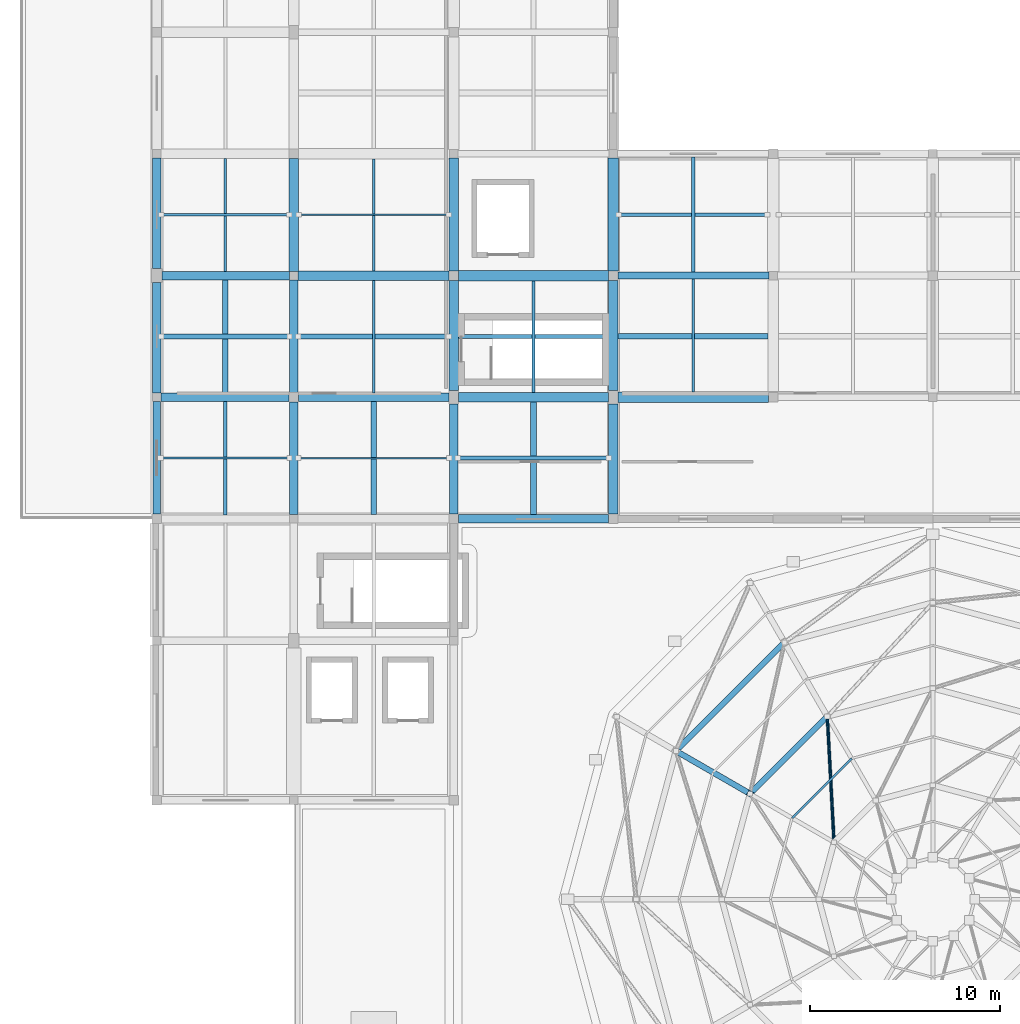
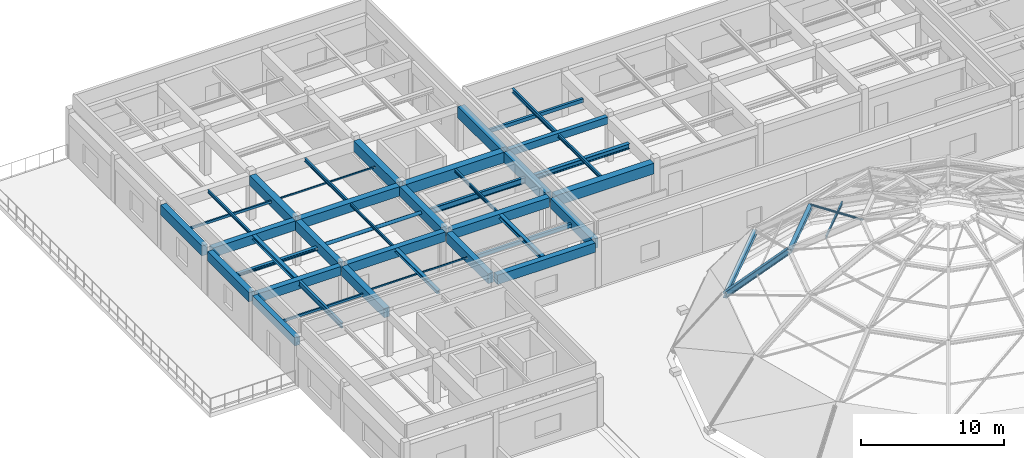
# One storey, part 4 of 18: 35 beams, 11 members.
"""IFC4 building model written with IfcOpenShell, lengths in metres."""

from ifc_helpers import new_model, si_unit, direction, frame, origin, origin_2d, place, context, subcontext, project, spatial, rectangle, hollow_rectangle, hollow_circle, i_section, extrude, material, material_profile, profile_set, type_object, element, save


model = new_model("IFC4")

# Units and contexts
model_context = context("Model", 3, precision=1e-05, world=origin(), true_north=direction((0.0, 1.0)))
body_context = subcontext(model_context, "Body", "Model", "MODEL_VIEW")
ifc_project = project(units=[si_unit("LENGTHUNIT", "METRE"), si_unit("AREAUNIT", "SQUARE_METRE"), si_unit("VOLUMEUNIT", "CUBIC_METRE"), si_unit("PLANEANGLEUNIT", "RADIAN"), si_unit("MASSUNIT", "GRAM", prefix="KILO")], contexts=[model_context])

# Site, building, storey
site_placement = place(None, origin())
site = spatial("IfcSite", under=ifc_project, at=site_placement, CompositionType="ELEMENT")
building_placement = place(site_placement, origin())
building = spatial("IfcBuilding", under=site, at=building_placement, Name="Korsvaeld Concert Hall", CompositionType="ELEMENT")
storey_placement = place(building_placement, frame((0.0, 0.0, 17.39990234375)))
storey = spatial("IfcBuildingStorey", under=building, at=storey_placement, Name="L04", CompositionType="ELEMENT", Elevation=17.39990234375)

# Beams
ifc_material_1 = material(Name="Concrete C35/45", Category="concrete")
ifc_material_profile_1 = material_profile(ifc_material_1, rectangle(XDim=0.35009765625, YDim=0.60009765625, at=origin_2d()), Name="RC 350x600")
ifc_profile_set_1 = profile_set([ifc_material_profile_1], Name="Concrete C35/45")
beam_type_1 = type_object("IfcBeamType", Name="BM-RC-350x600", PredefinedType="T_BEAM", material=ifc_profile_set_1)
beam_1_placement = place(storey_placement, frame((67.449951171875, 96.0, 3.5400390625), z_axis=(1.0, 0.0, 0.0), x_axis=(0.0, 1.0, 0.0)))
element("IfcBeam", 1, at=beam_1_placement, inside=storey, type_object=beam_type_1, Name="Primary girder 10-11/P L04", PredefinedType="T_BEAM", context=body_context, shape_type="SweptSolid", body=[
    extrude(rectangle(XDim=0.35009765625, YDim=0.60009765625, at=origin_2d()), origin(), (0.0, 0.0, 1.0), 7.925048828125),
])
ifc_material_profile_2 = material_profile(ifc_material_1, rectangle(XDim=0.39990234375, YDim=0.699951171875, at=origin_2d()), Name="RC 400x700")
ifc_profile_set_2 = profile_set([ifc_material_profile_2], Name="Concrete C35/45")
beam_type_2 = type_object("IfcBeamType", Name="BM-RC-400x700", PredefinedType="T_BEAM", material=ifc_profile_set_2)
beam_2_placement = place(storey_placement, frame((43.199951171875, 83.449951171875, 3.489990234375), z_axis=(0.0, 1.0, 0.0), x_axis=(-1.0, 0.0, 0.0)))
element("IfcBeam", 2, at=beam_2_placement, inside=storey, type_object=beam_type_2, Name="Primary girder 7/M-N L04", PredefinedType="T_BEAM", context=body_context, shape_type="SweptSolid", body=[
    extrude(rectangle(XDim=0.39990234375, YDim=0.699951171875, at=origin_2d()), origin(), (0.0, 0.0, 1.0), 5.925048828125),
])
ifc_material_profile_3 = material_profile(ifc_material_1, rectangle(XDim=0.449951171875, YDim=0.75, at=origin_2d()), Name="RC 450x750")
ifc_profile_set_3 = profile_set([ifc_material_profile_3], Name="Concrete C35/45")
beam_type_3 = type_object("IfcBeamType", Name="BM-RC-450x750", PredefinedType="T_BEAM", material=ifc_profile_set_3)
beam_3_placement = place(storey_placement, frame((43.425048828125, 89.60009765625, 3.465087890625), z_axis=(1.0, 0.0, 0.0), x_axis=(0.0, 1.0, 0.0)))
element("IfcBeam", 3, at=beam_3_placement, inside=storey, type_object=beam_type_3, Name="Primary girder 7-8/N L04", PredefinedType="T_BEAM", context=body_context, shape_type="SweptSolid", body=[
    extrude(rectangle(XDim=0.449951171875, YDim=0.75, at=origin_2d()), origin(), (0.0, 0.0, 1.0), 6.724853515625),
])
ifc_material_profile_4 = material_profile(ifc_material_1, rectangle(XDim=0.449951171875, YDim=0.800048828125, at=origin_2d()), Name="RC 450x800")
ifc_profile_set_4 = profile_set([ifc_material_profile_4], Name="Concrete C35/45")
beam_type_4 = type_object("IfcBeamType", Name="BM-RC-450x800", PredefinedType="T_BEAM", material=ifc_profile_set_4)
beam_4_placement = place(storey_placement, frame((59.050048828125, 83.199951171875, 3.440185546875), z_axis=(1.0, 0.0, 0.0), x_axis=(0.0, 1.0, 0.0)))
element("IfcBeam", 4, at=beam_4_placement, inside=storey, type_object=beam_type_4, Name="Primary girder 9-10/M L04", PredefinedType="T_BEAM", context=body_context, shape_type="SweptSolid", body=[
    extrude(rectangle(XDim=0.449951171875, YDim=0.800048828125, at=origin_2d()), origin(), (0.0, 0.0, 1.0), 7.89990234375),
])
beam_5_placement = place(storey_placement, frame((50.64990234375, 89.60009765625, 3.440185546875), z_axis=(1.0, 0.0, 0.0), x_axis=(0.0, 1.0, 0.0)))
element("IfcBeam", 5, at=beam_5_placement, inside=storey, type_object=beam_type_4, Name="Primary girder 8-9/N L04", PredefinedType="T_BEAM", context=body_context, shape_type="SweptSolid", body=[
    extrude(rectangle(XDim=0.449951171875, YDim=0.800048828125, at=origin_2d()), origin(), (0.0, 0.0, 1.0), 7.900146484375),
])
beam_6_placement = place(storey_placement, frame((43.47509765625, 96.0, 3.440185546875), z_axis=(1.0, 0.0, 0.0), x_axis=(0.0, 1.0, 0.0)))
element("IfcBeam", 6, at=beam_6_placement, inside=storey, type_object=beam_type_4, Name="Primary girder 7-8/P L04", PredefinedType="T_BEAM", context=body_context, shape_type="SweptSolid", body=[
    extrude(rectangle(XDim=0.449951171875, YDim=0.800048828125, at=origin_2d()), origin(), (0.0, 0.0, 1.0), 6.699951171875),
])
beam_7_placement = place(storey_placement, frame((43.199951171875, 89.824951171875, 3.440185546875), z_axis=(0.0, 1.0, 0.0), x_axis=(-1.0, 0.0, 0.0)))
element("IfcBeam", 7, at=beam_7_placement, inside=storey, type_object=beam_type_4, Name="Primary girder 7/N-P L04", PredefinedType="T_BEAM", context=body_context, shape_type="SweptSolid", body=[
    extrude(rectangle(XDim=0.449951171875, YDim=0.800048828125, at=origin_2d()), origin(), (0.0, 0.0, 1.0), 5.800048828125),
])
beam_8_placement = place(storey_placement, frame((50.39990234375, 83.425048828125, 3.440185546875), z_axis=(0.0, 1.0, 0.0), x_axis=(-1.0, 0.0, 0.0)))
element("IfcBeam", 8, at=beam_8_placement, inside=storey, type_object=beam_type_4, Name="Primary girder 8/M-N L04", PredefinedType="T_BEAM", context=body_context, shape_type="SweptSolid", body=[
    extrude(rectangle(XDim=0.449951171875, YDim=0.800048828125, at=origin_2d()), origin(), (0.0, 0.0, 1.0), 5.925048828125),
])
ifc_material_2 = material(Name="Concrete C40/50", Category="concrete")
ifc_material_profile_5 = material_profile(ifc_material_2, rectangle(XDim=0.449951171875, YDim=0.85009765625, at=origin_2d()), Name="RC 450x850")
ifc_profile_set_5 = profile_set([ifc_material_profile_5], Name="Concrete C40/50")
beam_type_5 = type_object("IfcBeamType", Name="BM-RC-450x850", PredefinedType="T_BEAM", material=ifc_profile_set_5)
beam_9_placement = place(storey_placement, frame((43.199951171875, 96.375, 3.4150390625), z_axis=(0.0, 1.0, 0.0), x_axis=(-1.0, 0.0, 0.0)))
element("IfcBeam", 9, at=beam_9_placement, inside=storey, type_object=beam_type_5, Name="Primary girder 7/P-Q L04", PredefinedType="T_BEAM", context=body_context, shape_type="SweptSolid", body=[
    extrude(rectangle(XDim=0.449951171875, YDim=0.85009765625, at=origin_2d()), origin(), (0.0, 0.0, 1.0), 5.800048828125),
])
beam_10_placement = place(storey_placement, frame((50.39990234375, 89.85009765625, 3.4150390625), z_axis=(0.0, 1.0, 0.0), x_axis=(-1.0, 0.0, 0.0)))
element("IfcBeam", 10, at=beam_10_placement, inside=storey, type_object=beam_type_5, Name="Primary girder 8/N-P L04", PredefinedType="T_BEAM", context=body_context, shape_type="SweptSolid", body=[
    extrude(rectangle(XDim=0.449951171875, YDim=0.85009765625, at=origin_2d()), origin(), (0.0, 0.0, 1.0), 5.9248046875),
])
beam_11_placement = place(storey_placement, frame((58.800048828125, 83.449951171875, 3.4150390625), z_axis=(0.0, 1.0, 0.0), x_axis=(-1.0, 0.0, 0.0)))
element("IfcBeam", 11, at=beam_11_placement, inside=storey, type_object=beam_type_5, Name="Primary girder 9/M-N L04", PredefinedType="T_BEAM", context=body_context, shape_type="SweptSolid", body=[
    extrude(rectangle(XDim=0.449951171875, YDim=0.85009765625, at=origin_2d()), origin(), (0.0, 0.0, 1.0), 5.800048828125),
])
ifc_material_profile_6 = material_profile(ifc_material_2, rectangle(XDim=0.5, YDim=0.800048828125, at=origin_2d()), Name="RC 500x800")
ifc_profile_set_6 = profile_set([ifc_material_profile_6], Name="Concrete C40/50")
beam_type_6 = type_object("IfcBeamType", Name="BM-RC-500x800", PredefinedType="T_BEAM", material=ifc_profile_set_6)
beam_12_placement = place(storey_placement, frame((59.050048828125, 89.60009765625, 3.440185546875), z_axis=(1.0, 0.0, 0.0), x_axis=(0.0, 1.0, 0.0)))
element("IfcBeam", 12, at=beam_12_placement, inside=storey, type_object=beam_type_6, Name="Primary girder 9-10/N L04", PredefinedType="T_BEAM", context=body_context, shape_type="SweptSolid", body=[
    extrude(rectangle(XDim=0.5, YDim=0.800048828125, at=origin_2d()), origin(), (0.0, 0.0, 1.0), 7.89990234375),
])
beam_13_placement = place(storey_placement, frame((50.625, 96.0, 3.440185546875), z_axis=(1.0, 0.0, 0.0), x_axis=(0.0, 1.0, 0.0)))
element("IfcBeam", 13, at=beam_13_placement, inside=storey, type_object=beam_type_6, Name="Primary girder 8-9/P L04", PredefinedType="T_BEAM", context=body_context, shape_type="SweptSolid", body=[
    extrude(rectangle(XDim=0.5, YDim=0.800048828125, at=origin_2d()), origin(), (0.0, 0.0, 1.0), 7.925048828125),
])
ifc_material_profile_7 = material_profile(ifc_material_2, rectangle(XDim=0.5, YDim=0.85009765625, at=origin_2d()), Name="RC 500x850")
ifc_profile_set_7 = profile_set([ifc_material_profile_7], Name="Concrete C40/50")
beam_type_7 = type_object("IfcBeamType", Name="BM-RC-500x850", PredefinedType="T_BEAM", material=ifc_profile_set_7)
beam_14_placement = place(storey_placement, frame((50.39990234375, 96.22509765625, 3.4150390625), z_axis=(0.0, 1.0, 0.0), x_axis=(-1.0, 0.0, 0.0)))
element("IfcBeam", 14, at=beam_14_placement, inside=storey, type_object=beam_type_7, Name="Primary girder 8/P-Q L04", PredefinedType="T_BEAM", context=body_context, shape_type="SweptSolid", body=[
    extrude(rectangle(XDim=0.5, YDim=0.85009765625, at=origin_2d()), origin(), (0.0, 0.0, 1.0), 5.9248046875),
])
for number, where, z_axis, x_axis, name in (
    (15, (58.800048828125, 89.949951171875, 3.4150390625), (0.0, 1.0, 0.0), (-1.0, 0.0, 0.0), "Primary girder 9/N-P L04"),
    (16, (67.199951171875, 83.449951171875, 3.4150390625), (0.0, 1.0, 0.0), (-1.0, 0.0, 0.0), "Primary girder 10/M-N L04"),
):
    element("IfcBeam", number, at=place(storey_placement, frame(where, z_axis=z_axis, x_axis=x_axis)), inside=storey, type_object=beam_type_7, Name=name, PredefinedType="T_BEAM", context=body_context, shape_type="SweptSolid", body=[
        extrude(rectangle(XDim=0.5, YDim=0.85009765625, at=origin_2d()), origin(), (0.0, 0.0, 1.0), 5.800048828125),
    ])
ifc_material_profile_8 = material_profile(ifc_material_2, rectangle(XDim=0.5, YDim=0.89990234375, at=origin_2d()), Name="RC 500x900")
ifc_profile_set_8 = profile_set([ifc_material_profile_8], Name="Concrete C40/50")
beam_type_8 = type_object("IfcBeamType", Name="BM-RC-500x900", PredefinedType="T_BEAM", material=ifc_profile_set_8)
beam_15_placement = place(storey_placement, frame((58.800048828125, 96.25, 3.39013671875), z_axis=(0.0, 1.0, 0.0), x_axis=(-1.0, 0.0, 0.0)))
element("IfcBeam", 17, at=beam_15_placement, inside=storey, type_object=beam_type_8, Name="Primary girder 9/P-Q L04", PredefinedType="T_BEAM", context=body_context, shape_type="SweptSolid", body=[
    extrude(rectangle(XDim=0.5, YDim=0.89990234375, at=origin_2d()), origin(), (0.0, 0.0, 1.0), 5.925048828125),
])
beam_16_placement = place(storey_placement, frame((67.199951171875, 89.949951171875, 3.39013671875), z_axis=(0.0, 1.0, 0.0), x_axis=(-1.0, 0.0, 0.0)))
element("IfcBeam", 18, at=beam_16_placement, inside=storey, type_object=beam_type_8, Name="Primary girder 10/N-P L04", PredefinedType="T_BEAM", context=body_context, shape_type="SweptSolid", body=[
    extrude(rectangle(XDim=0.5, YDim=0.89990234375, at=origin_2d()), origin(), (0.0, 0.0, 1.0), 5.800048828125),
])
ifc_material_profile_9 = material_profile(ifc_material_2, rectangle(XDim=0.550048828125, YDim=0.89990234375, at=origin_2d()), Name="RC 550x900")
ifc_profile_set_9 = profile_set([ifc_material_profile_9], Name="Concrete C40/50")
beam_type_9 = type_object("IfcBeamType", Name="BM-RC-550x900", PredefinedType="T_BEAM", material=ifc_profile_set_9)
beam_17_placement = place(storey_placement, frame((67.449951171875, 89.60009765625, 3.39013671875), z_axis=(1.0, 0.0, 0.0), x_axis=(0.0, 1.0, 0.0)))
element("IfcBeam", 19, at=beam_17_placement, inside=storey, type_object=beam_type_9, Name="Primary girder 10-11/N L04", PredefinedType="T_BEAM", context=body_context, shape_type="SweptSolid", body=[
    extrude(rectangle(XDim=0.550048828125, YDim=0.89990234375, at=origin_2d()), origin(), (0.0, 0.0, 1.0), 7.900146484375),
])
beam_18_placement = place(storey_placement, frame((59.050048828125, 96.0, 3.39013671875), z_axis=(1.0, 0.0, 0.0), x_axis=(0.0, 1.0, 0.0)))
element("IfcBeam", 20, at=beam_18_placement, inside=storey, type_object=beam_type_9, Name="Primary girder 9-10/P L04", PredefinedType="T_BEAM", context=body_context, shape_type="SweptSolid", body=[
    extrude(rectangle(XDim=0.550048828125, YDim=0.89990234375, at=origin_2d()), origin(), (0.0, 0.0, 1.0), 7.89990234375),
])
ifc_material_profile_10 = material_profile(ifc_material_2, rectangle(XDim=0.550048828125, YDim=0.949951171875, at=origin_2d()), Name="RC 550x950")
ifc_profile_set_10 = profile_set([ifc_material_profile_10], Name="Concrete C40/50")
beam_type_10 = type_object("IfcBeamType", Name="BM-RC-550x950", PredefinedType="T_BEAM", material=ifc_profile_set_10)
beam_19_placement = place(storey_placement, frame((67.199951171875, 96.25, 3.364990234375), z_axis=(0.0, 1.0, 0.0), x_axis=(-1.0, 0.0, 0.0)))
element("IfcBeam", 21, at=beam_19_placement, inside=storey, type_object=beam_type_10, Name="Primary girder 10/P-Q L04", PredefinedType="T_BEAM", context=body_context, shape_type="SweptSolid", body=[
    extrude(rectangle(XDim=0.550048828125, YDim=0.949951171875, at=origin_2d()), origin(), (0.0, 0.0, 1.0), 5.925048828125),
])
ifc_material_3 = material(Name="Steel S355J2", Category="steel")
ifc_material_profile_11 = material_profile(ifc_material_3, i_section(OverallWidth=0.300048828125, OverallDepth=0.340087890625, WebThickness=0.011962890625, FlangeThickness=0.021484375, FilletRadius=0.027099609375, at=origin_2d()), Name="HEB 340")
ifc_profile_set_11 = profile_set([ifc_material_profile_11], Name="Steel S355J2")
beam_type_11 = type_object("IfcBeamType", Name="BM-RING-HEB340", PredefinedType="USERDEFINED", material=ifc_profile_set_11)
beam_20_placement = place(storey_placement, frame((78.449951171875, 72.81298828125, 9.16015625), z_axis=(-0.707085535584, -0.707128026151, 0.0), x_axis=(0.707128026151, -0.707085535584, 0.0)))
element("IfcBeam", 22, at=beam_20_placement, inside=storey, type_object=beam_type_11, Name="Dome latitude ring beam T2.B05", ObjectType="RING BEAM", PredefinedType="USERDEFINED", context=body_context, shape_type="SweptSolid", body=[
    extrude(i_section(OverallWidth=0.300048828125, OverallDepth=0.340087890625, WebThickness=0.011962890625, FlangeThickness=0.021484375, FilletRadius=0.027099609375, at=origin_2d()), origin(), (0.0, 0.0, 1.0), 5.745849609375),
])
ifc_material_profile_12 = material_profile(ifc_material_3, i_section(OverallWidth=0.300048828125, OverallDepth=0.39990234375, WebThickness=0.013427734375, FlangeThickness=0.02392578125, FilletRadius=0.027099609375, at=origin_2d()), Name="HEB 400")
ifc_profile_set_12 = profile_set([ifc_material_profile_12], Name="Steel S355J2")
beam_type_12 = type_object("IfcBeamType", Name="BM-RING-HEB400", PredefinedType="USERDEFINED", material=ifc_profile_set_12)
beam_21_placement = place(storey_placement, frame((76.199951171875, 76.7099609375, 5.360107421875), z_axis=(-0.707106781187, -0.707106781187, 0.0), x_axis=(0.707106781187, -0.707106781187, 0.0)))
element("IfcBeam", 23, at=beam_21_placement, inside=storey, type_object=beam_type_12, Name="Dome latitude ring beam T1.B05", ObjectType="RING BEAM", PredefinedType="USERDEFINED", context=body_context, shape_type="SweptSolid", body=[
    extrude(i_section(OverallWidth=0.300048828125, OverallDepth=0.39990234375, WebThickness=0.013427734375, FlangeThickness=0.02392578125, FilletRadius=0.027099609375, at=origin_2d()), origin(), (0.0, 0.0, 1.0), 8.0751953125),
])
ifc_material_profile_13 = material_profile(ifc_material_3, i_section(OverallWidth=0.280029296875, OverallDepth=0.27001953125, WebThickness=0.008056640625, FlangeThickness=0.012939453125, FilletRadius=0.02392578125, at=origin_2d()), Name="HEA 280")
ifc_profile_set_13 = profile_set([ifc_material_profile_13], Name="Steel S355J2")
beam_type_13 = type_object("IfcBeamType", Name="BM-STL-HEA280", PredefinedType="BEAM", material=ifc_profile_set_13)
beam_22_placement = place(storey_placement, frame((54.60009765625, 83.425048828125, 3.705078125), z_axis=(0.0, 1.0, 0.0), x_axis=(-1.0, 0.0, 0.0)))
element("IfcBeam", 24, at=beam_22_placement, inside=storey, type_object=beam_type_13, Name="Secondary steel floor beam 8-9/M L04", PredefinedType="BEAM", context=body_context, shape_type="SweptSolid", body=[
    extrude(i_section(OverallWidth=0.280029296875, OverallDepth=0.27001953125, WebThickness=0.008056640625, FlangeThickness=0.012939453125, FilletRadius=0.02392578125, at=origin_2d()), origin(), (0.0, 0.0, 1.0), 5.949951171875),
])
ifc_material_profile_14 = material_profile(ifc_material_3, i_section(OverallWidth=0.300048828125, OverallDepth=0.35009765625, WebThickness=0.010009765625, FlangeThickness=0.017578125, FilletRadius=0.027099609375, at=origin_2d()), Name="HEA 360")
ifc_profile_set_14 = profile_set([ifc_material_profile_14], Name="Steel S355J2")
beam_type_14 = type_object("IfcBeamType", Name="BM-STL-HEA360", PredefinedType="BEAM", material=ifc_profile_set_14)
beam_23_placement = place(storey_placement, frame((46.800048828125, 89.824951171875, 3.6650390625), z_axis=(0.0, 1.0, 0.0), x_axis=(-1.0, 0.0, 0.0)))
element("IfcBeam", 25, at=beam_23_placement, inside=storey, type_object=beam_type_14, Name="Secondary steel floor beam 7-8/N L04", PredefinedType="BEAM", context=body_context, shape_type="SweptSolid", body=[
    extrude(i_section(OverallWidth=0.300048828125, OverallDepth=0.35009765625, WebThickness=0.010009765625, FlangeThickness=0.017578125, FilletRadius=0.027099609375, at=origin_2d()), origin(), (0.0, 0.0, 1.0), 5.949951171875),
])
beam_24_placement = place(storey_placement, frame((63.0, 83.425048828125, 3.6650390625), z_axis=(0.0, 1.0, 0.0), x_axis=(-1.0, 0.0, 0.0)))
element("IfcBeam", 26, at=beam_24_placement, inside=storey, type_object=beam_type_14, Name="Secondary steel floor beam 9-10/M L04", PredefinedType="BEAM", context=body_context, shape_type="SweptSolid", body=[
    extrude(i_section(OverallWidth=0.300048828125, OverallDepth=0.35009765625, WebThickness=0.010009765625, FlangeThickness=0.017578125, FilletRadius=0.027099609375, at=origin_2d()), origin(), (0.0, 0.0, 1.0), 5.925048828125),
])
ifc_material_profile_15 = material_profile(ifc_material_3, i_section(OverallWidth=0.300048828125, OverallDepth=0.43994140625, WebThickness=0.011474609375, FlangeThickness=0.02099609375, FilletRadius=0.027099609375, at=origin_2d()), Name="HEA 450")
ifc_profile_set_15 = profile_set([ifc_material_profile_15], Name="Steel S355J2")
beam_type_15 = type_object("IfcBeamType", Name="BM-STL-HEA450", PredefinedType="USERDEFINED", material=ifc_profile_set_15)
beam_25_placement = place(storey_placement, frame((67.449951171875, 92.800048828125, 3.280029296875), z_axis=(1.0, 0.0, 0.0), x_axis=(0.0, 1.0, 0.0)))
element("IfcBeam", 27, at=beam_25_placement, inside=storey, type_object=beam_type_15, Name="Artists wing roof purlin tie 10", ObjectType="GIRDER", PredefinedType="USERDEFINED", context=body_context, shape_type="SweptSolid", body=[
    extrude(i_section(OverallWidth=0.300048828125, OverallDepth=0.43994140625, WebThickness=0.011474609375, FlangeThickness=0.02099609375, FilletRadius=0.027099609375, at=origin_2d()), origin(), (0.0, 0.0, 1.0), 7.875),
])
ifc_material_profile_16 = material_profile(ifc_material_3, i_section(OverallWidth=0.1201171875, OverallDepth=0.239990234375, WebThickness=0.006103515625, FlangeThickness=0.009765625, FilletRadius=0.014892578125, at=origin_2d()), Name="IPE 240")
ifc_profile_set_16 = profile_set([ifc_material_profile_16], Name="Steel S355J2")
beam_type_16 = type_object("IfcBeamType", Name="BM-STL-IPE240", PredefinedType="JOIST", material=ifc_profile_set_16)
beam_26_placement = place(storey_placement, frame((54.60009765625, 89.824951171875, 3.72021484375), z_axis=(0.0, 1.0, 0.0), x_axis=(-1.0, 0.0, 0.0)))
element("IfcBeam", 28, at=beam_26_placement, inside=storey, type_object=beam_type_16, Name="Secondary steel floor beam 8-9/N L04", PredefinedType="JOIST", context=body_context, shape_type="SweptSolid", body=[
    extrude(i_section(OverallWidth=0.1201171875, OverallDepth=0.239990234375, WebThickness=0.006103515625, FlangeThickness=0.009765625, FilletRadius=0.014892578125, at=origin_2d()), origin(), (0.0, 0.0, 1.0), 5.925048828125),
])
ifc_material_profile_17 = material_profile(ifc_material_3, i_section(OverallWidth=0.135009765625, OverallDepth=0.27001953125, WebThickness=0.006591796875, FlangeThickness=0.01025390625, FilletRadius=0.014892578125, at=origin_2d()), Name="IPE 270")
ifc_profile_set_17 = profile_set([ifc_material_profile_17], Name="Steel S355J2")
beam_type_17 = type_object("IfcBeamType", Name="BM-STL-IPE270", PredefinedType="JOIST", material=ifc_profile_set_17)
beam_27_placement = place(storey_placement, frame((46.800048828125, 96.22509765625, 3.705078125), z_axis=(0.0, 1.0, 0.0), x_axis=(-1.0, 0.0, 0.0)))
element("IfcBeam", 29, at=beam_27_placement, inside=storey, type_object=beam_type_17, Name="Secondary steel floor beam 7-8/P L04", PredefinedType="JOIST", context=body_context, shape_type="SweptSolid", body=[
    extrude(i_section(OverallWidth=0.135009765625, OverallDepth=0.27001953125, WebThickness=0.006591796875, FlangeThickness=0.01025390625, FilletRadius=0.014892578125, at=origin_2d()), origin(), (0.0, 0.0, 1.0), 5.9248046875),
])
beam_28_placement = place(storey_placement, frame((63.0, 89.85009765625, 3.705078125), z_axis=(0.0, 1.0, 0.0), x_axis=(-1.0, 0.0, 0.0)))
element("IfcBeam", 30, at=beam_28_placement, inside=storey, type_object=beam_type_17, Name="Secondary steel floor beam 9-10/N L04", PredefinedType="JOIST", context=body_context, shape_type="SweptSolid", body=[
    extrude(i_section(OverallWidth=0.135009765625, OverallDepth=0.27001953125, WebThickness=0.006591796875, FlangeThickness=0.01025390625, FilletRadius=0.014892578125, at=origin_2d()), origin(), (0.0, 0.0, 1.0), 5.875),
])
ifc_material_profile_18 = material_profile(ifc_material_3, i_section(OverallWidth=0.14990234375, OverallDepth=0.300048828125, WebThickness=0.007080078125, FlangeThickness=0.0107421875, FilletRadius=0.014892578125, at=origin_2d()), Name="IPE 300")
ifc_profile_set_18 = profile_set([ifc_material_profile_18], Name="Steel S355J2")
beam_type_18 = type_object("IfcBeamType", Name="BM-STL-IPE300", PredefinedType="JOIST", material=ifc_profile_set_18)
beam_29_placement = place(storey_placement, frame((54.60009765625, 96.25, 3.690185546875), z_axis=(0.0, 1.0, 0.0), x_axis=(-1.0, 0.0, 0.0)))
element("IfcBeam", 31, at=beam_29_placement, inside=storey, type_object=beam_type_18, Name="Secondary steel floor beam 8-9/P L04", PredefinedType="JOIST", context=body_context, shape_type="SweptSolid", body=[
    extrude(i_section(OverallWidth=0.14990234375, OverallDepth=0.300048828125, WebThickness=0.007080078125, FlangeThickness=0.0107421875, FilletRadius=0.014892578125, at=origin_2d()), origin(), (0.0, 0.0, 1.0), 5.875),
])
beam_30_placement = place(storey_placement, frame((71.39990234375, 89.875, 3.690185546875), z_axis=(0.0, 1.0, 0.0), x_axis=(-1.0, 0.0, 0.0)))
element("IfcBeam", 32, at=beam_30_placement, inside=storey, type_object=beam_type_18, Name="Secondary steel floor beam 10-11/N L04", PredefinedType="JOIST", context=body_context, shape_type="SweptSolid", body=[
    extrude(i_section(OverallWidth=0.14990234375, OverallDepth=0.300048828125, WebThickness=0.007080078125, FlangeThickness=0.0107421875, FilletRadius=0.014892578125, at=origin_2d()), origin(), (0.0, 0.0, 1.0), 5.949951171875),
])
ifc_material_profile_19 = material_profile(ifc_material_3, i_section(OverallWidth=0.169921875, OverallDepth=0.360107421875, WebThickness=0.008056640625, FlangeThickness=0.0126953125, FilletRadius=0.01806640625, at=origin_2d()), Name="IPE 360")
ifc_profile_set_19 = profile_set([ifc_material_profile_19], Name="Steel S355J2")
beam_type_19 = type_object("IfcBeamType", Name="BM-STL-IPE360", PredefinedType="BEAM", material=ifc_profile_set_19)
beam_31_placement = place(storey_placement, frame((71.39990234375, 96.175048828125, 3.66015625), z_axis=(0.0, 1.0, 0.0), x_axis=(-1.0, 0.0, 0.0)))
element("IfcBeam", 33, at=beam_31_placement, inside=storey, type_object=beam_type_19, Name="Secondary steel floor beam 10-11/P L04", PredefinedType="BEAM", context=body_context, shape_type="SweptSolid", body=[
    extrude(i_section(OverallWidth=0.169921875, OverallDepth=0.360107421875, WebThickness=0.008056640625, FlangeThickness=0.0126953125, FilletRadius=0.01806640625, at=origin_2d()), origin(), (0.0, 0.0, 1.0), 6.050048828125),
])
ifc_material_profile_20 = material_profile(ifc_material_3, i_section(OverallWidth=0.18994140625, OverallDepth=0.449951171875, WebThickness=0.009521484375, FlangeThickness=0.0146484375, FilletRadius=0.02099609375, at=origin_2d()), Name="IPE 450")
ifc_profile_set_20 = profile_set([ifc_material_profile_20], Name="Steel S355J2")
beam_type_20 = type_object("IfcBeamType", Name="BM-STL-IPE450", PredefinedType="BEAM", material=ifc_profile_set_20)
beam_32_placement = place(storey_placement, frame((46.800048828125, 83.39990234375, 3.614990234375), z_axis=(0.0, 1.0, 0.0), x_axis=(-1.0, 0.0, 0.0)))
element("IfcBeam", 34, at=beam_32_placement, inside=storey, type_object=beam_type_20, Name="Secondary steel floor beam 7-8/M L04", PredefinedType="BEAM", context=body_context, shape_type="SweptSolid", body=[
    extrude(i_section(OverallWidth=0.18994140625, OverallDepth=0.449951171875, WebThickness=0.009521484375, FlangeThickness=0.0146484375, FilletRadius=0.02099609375, at=origin_2d()), origin(), (0.0, 0.0, 1.0), 5.97509765625),
])
ifc_material_profile_21 = material_profile(ifc_material_3, i_section(OverallWidth=0.199951171875, OverallDepth=0.5, WebThickness=0.01025390625, FlangeThickness=0.01611328125, FilletRadius=0.02099609375, at=origin_2d()), Name="IPE 500")
ifc_profile_set_21 = profile_set([ifc_material_profile_21], Name="Steel S355J2")
beam_type_21 = type_object("IfcBeamType", Name="BM-STL-IPE500", PredefinedType="BEAM", material=ifc_profile_set_21)
beam_33_placement = place(storey_placement, frame((59.050048828125, 92.800048828125, 3.280029296875), z_axis=(1.0, 0.0, 0.0), x_axis=(0.0, 1.0, 0.0)))
element("IfcBeam", 35, at=beam_33_placement, inside=storey, type_object=beam_type_21, Name="Artists wing roof purlin tie 09", PredefinedType="BEAM", context=body_context, shape_type="SweptSolid", body=[
    extrude(i_section(OverallWidth=0.199951171875, OverallDepth=0.5, WebThickness=0.01025390625, FlangeThickness=0.01611328125, FilletRadius=0.02099609375, at=origin_2d()), origin(), (0.0, 0.0, 1.0), 7.89990234375),
])

# Members
ifc_material_profile_22 = material_profile(ifc_material_3, hollow_circle(Radius=0.084228515625, WallThickness=0.008056640625, at=origin_2d()), Name="CHS 168.3x8")
ifc_profile_set_22 = profile_set([ifc_material_profile_22], Name="Steel S355J2")
member_type_1 = type_object("IfcMemberType", Name="MEM-BRC-CHS168", PredefinedType="BRACE", material=ifc_profile_set_22)
member_1_placement = place(storey_placement, frame((78.449951171875, 72.81298828125, 9.25), z_axis=(0.0497228848, -0.929498813365, 0.36545805598), x_axis=(0.998572243703, 0.053417919339, 0.0)))
element("IfcMember", 36, at=member_1_placement, inside=storey, type_object=member_type_1, Name="Dome diagonal brace T3.B05", PredefinedType="BRACE", context=body_context, shape_type="SweptSolid", body=[
    extrude(hollow_circle(Radius=0.084228515625, WallThickness=0.008056640625, at=origin_2d()), origin(), (0.0, 0.0, 1.0), 7.11474609375),
])
ifc_material_profile_23 = material_profile(ifc_material_3, hollow_circle(Radius=0.136474609375, WallThickness=0.012451171875, at=origin_2d()), Name="CHS 273x12.5")
ifc_profile_set_23 = profile_set([ifc_material_profile_23], Name="Steel S355J2")
member_type_2 = type_object("IfcMemberType", Name="MEM-BRC-CHS273", PredefinedType="BRACE", material=ifc_profile_set_23)
member_2_placement = place(storey_placement, frame((50.625, 92.800048828125, 3.423583984375), z_axis=(1.0, 0.0, 0.0), x_axis=(0.0, 1.0, 0.0)))
element("IfcMember", 37, at=member_2_placement, inside=storey, type_object=member_type_2, Name="Artists wing roof purlin tie 08", PredefinedType="BRACE", context=body_context, shape_type="SweptSolid", body=[
    extrude(hollow_circle(Radius=0.136474609375, WallThickness=0.012451171875, at=origin_2d()), origin(), (0.0, 0.0, 1.0), 7.925048828125),
])
ifc_material_profile_24 = material_profile(ifc_material_3, i_section(OverallWidth=0.110107421875, OverallDepth=0.219970703125, WebThickness=0.005859375, FlangeThickness=0.00927734375, FilletRadius=0.011962890625, at=origin_2d()), Name="IPE 220")
ifc_profile_set_24 = profile_set([ifc_material_profile_24], Name="Steel S355J2")
member_type_3 = type_object("IfcMemberType", Name="MEM-PUR-IPE220", PredefinedType="PURLIN", material=ifc_profile_set_24)
member_3_placement = place(storey_placement, frame((79.72509765625, 70.6044921875, 10.35009765625), z_axis=(-0.707134362143, -0.707079199154, 0.0), x_axis=(0.707079199154, -0.707134362143, 0.0)))
element("IfcMember", 38, at=member_3_placement, inside=storey, type_object=member_type_3, Name="Dome hoop purlin T3.B05", PredefinedType="PURLIN", context=body_context, shape_type="SweptSolid", body=[
    extrude(i_section(OverallWidth=0.110107421875, OverallDepth=0.219970703125, WebThickness=0.005859375, FlangeThickness=0.00927734375, FilletRadius=0.011962890625, at=origin_2d()), origin(), (0.0, 0.0, 1.0), 4.42578125),
])
ifc_material_profile_25 = material_profile(ifc_material_3, i_section(OverallWidth=0.300048828125, OverallDepth=0.449951171875, WebThickness=0.013916015625, FlangeThickness=0.02587890625, FilletRadius=0.027099609375, at=origin_2d()), Name="HEB 450")
ifc_profile_set_25 = profile_set([ifc_material_profile_25], Name="Steel S355J2")
member_type_4 = type_object("IfcMemberType", Name="MEM-RIB-HEB450", PredefinedType="USERDEFINED", material=ifc_profile_set_25)
member_4_placement = place(storey_placement, frame((70.489990234375, 71.0, 5.4501953125), z_axis=(0.661693254378, -0.382018732841, 0.645154031894), x_axis=(0.499990139034, 0.866031096941, 0.0)))
element("IfcMember", 39, at=member_4_placement, inside=storey, type_object=member_type_4, Name="Main Hall radial steel dome rib B06.2", ObjectType="ARCH SEGMENT", PredefinedType="USERDEFINED", context=body_context, shape_type="SweptSolid", body=[
    extrude(i_section(OverallWidth=0.300048828125, OverallDepth=0.449951171875, WebThickness=0.013916015625, FlangeThickness=0.02587890625, FilletRadius=0.027099609375, at=origin_2d()), origin(), (0.0, 0.0, 1.0), 5.8896484375),
])
ifc_material_profile_26 = material_profile(ifc_material_3, i_section(OverallWidth=0.260009765625, OverallDepth=0.260009765625, WebThickness=0.010009765625, FlangeThickness=0.017578125, FilletRadius=0.02392578125, at=origin_2d()), Name="HEB 260")
ifc_profile_set_26 = profile_set([ifc_material_profile_26], Name="Steel S355J2")
member_type_5 = type_object("IfcMemberType", Name="MEM-STR-HEB260", PredefinedType="STRUT", material=ifc_profile_set_26)
member_5_placement = place(storey_placement, frame((43.425048828125, 92.800048828125, 3.320068359375), z_axis=(1.0, 0.0, 0.0), x_axis=(0.0, 1.0, 0.0)))
element("IfcMember", 40, at=member_5_placement, inside=storey, type_object=member_type_5, Name="Artists wing roof purlin tie 07", PredefinedType="STRUT", context=body_context, shape_type="SweptSolid", body=[
    extrude(i_section(OverallWidth=0.260009765625, OverallDepth=0.260009765625, WebThickness=0.010009765625, FlangeThickness=0.017578125, FilletRadius=0.02392578125, at=origin_2d()), origin(), (0.0, 0.0, 1.0), 6.75),
])
ifc_material_profile_27 = material_profile(ifc_material_3, hollow_rectangle(XDim=0.080078125, YDim=0.1201171875, WallThickness=0.00634765625, at=origin_2d()), Name="RHS 120x80x6.3")
ifc_profile_set_27 = profile_set([ifc_material_profile_27], Name="Steel S355J2")
member_type_6 = type_object("IfcMemberType", Name="MEM-STR-RHS120", PredefinedType="STRUT", material=ifc_profile_set_27)
member_6_placement = place(storey_placement, frame((50.625, 86.39990234375, 3.47021484375), z_axis=(1.0, 0.0, 0.0), x_axis=(0.0, 1.0, 0.0)))
element("IfcMember", 41, at=member_6_placement, inside=storey, type_object=member_type_6, Name="Artists wing roof purlin tie 02", PredefinedType="STRUT", context=body_context, shape_type="SweptSolid", body=[
    extrude(hollow_rectangle(XDim=0.080078125, YDim=0.1201171875, WallThickness=0.00634765625, at=origin_2d()), origin(), (0.0, 0.0, 1.0), 7.949951171875),
])
member_7_placement = place(storey_placement, frame((50.64990234375, 99.199951171875, 3.440185546875), z_axis=(1.0, 0.0, 0.0), x_axis=(0.0, 1.0, 0.0)))
element("IfcMember", 42, at=member_7_placement, inside=storey, type_object=member_type_6, Name="Artists wing roof purlin tie 18", PredefinedType="STRUT", context=body_context, shape_type="SweptSolid", body=[
    extrude(hollow_rectangle(XDim=0.080078125, YDim=0.1201171875, WallThickness=0.00634765625, at=origin_2d()), origin(), (0.0, 0.0, 1.0), 7.900146484375),
])
ifc_material_profile_28 = material_profile(ifc_material_3, hollow_rectangle(XDim=0.1201171875, YDim=0.199951171875, WallThickness=0.010009765625, at=origin_2d()), Name="RHS 200x120x10")
ifc_profile_set_28 = profile_set([ifc_material_profile_28], Name="Steel S355J2")
member_type_7 = type_object("IfcMemberType", Name="MEM-STR-RHS200", PredefinedType="STRUT", material=ifc_profile_set_28)
member_8_placement = place(storey_placement, frame((43.39990234375, 86.39990234375, 3.25), z_axis=(1.0, 0.0, 0.0), x_axis=(0.0, 1.0, 0.0)))
element("IfcMember", 43, at=member_8_placement, inside=storey, type_object=member_type_7, Name="Artists wing roof purlin tie 01", PredefinedType="STRUT", context=body_context, shape_type="SweptSolid", body=[
    extrude(hollow_rectangle(XDim=0.1201171875, YDim=0.199951171875, WallThickness=0.010009765625, at=origin_2d()), origin(), (0.0, 0.0, 1.0), 6.775146484375),
])
member_9_placement = place(storey_placement, frame((43.425048828125, 99.199951171875, 3.43017578125), z_axis=(1.0, 0.0, 0.0), x_axis=(0.0, 1.0, 0.0)))
element("IfcMember", 44, at=member_9_placement, inside=storey, type_object=member_type_7, Name="Artists wing roof purlin tie 17", PredefinedType="STRUT", context=body_context, shape_type="SweptSolid", body=[
    extrude(hollow_rectangle(XDim=0.1201171875, YDim=0.199951171875, WallThickness=0.010009765625, at=origin_2d()), origin(), (0.0, 0.0, 1.0), 6.724853515625),
])
ifc_material_profile_29 = material_profile(ifc_material_3, hollow_rectangle(XDim=0.199951171875, YDim=0.300048828125, WallThickness=0.012451171875, at=origin_2d()), Name="RHS 300x200x12.5")
ifc_profile_set_29 = profile_set([ifc_material_profile_29], Name="Steel S355J2")
member_type_8 = type_object("IfcMemberType", Name="MEM-STR-RHS300", PredefinedType="STRUT", material=ifc_profile_set_29)
member_10_placement = place(storey_placement, frame((59.02490234375, 86.39990234375, 3.300048828125), z_axis=(1.0, 0.0, 0.0), x_axis=(0.0, 1.0, 0.0)))
element("IfcMember", 45, at=member_10_placement, inside=storey, type_object=member_type_8, Name="Artists wing roof purlin tie 03", PredefinedType="STRUT", context=body_context, shape_type="SweptSolid", body=[
    extrude(hollow_rectangle(XDim=0.199951171875, YDim=0.300048828125, WallThickness=0.012451171875, at=origin_2d()), origin(), (0.0, 0.0, 1.0), 7.925048828125),
])
member_11_placement = place(storey_placement, frame((67.47509765625, 99.199951171875, 3.2900390625), z_axis=(1.0, 0.0, 0.0), x_axis=(0.0, 1.0, 0.0)))
element("IfcMember", 46, at=member_11_placement, inside=storey, type_object=member_type_8, Name="Artists wing roof purlin tie 19", PredefinedType="STRUT", context=body_context, shape_type="SweptSolid", body=[
    extrude(hollow_rectangle(XDim=0.199951171875, YDim=0.300048828125, WallThickness=0.012451171875, at=origin_2d()), origin(), (0.0, 0.0, 1.0), 7.824951171875),
])

save(model, "model.ifc")
